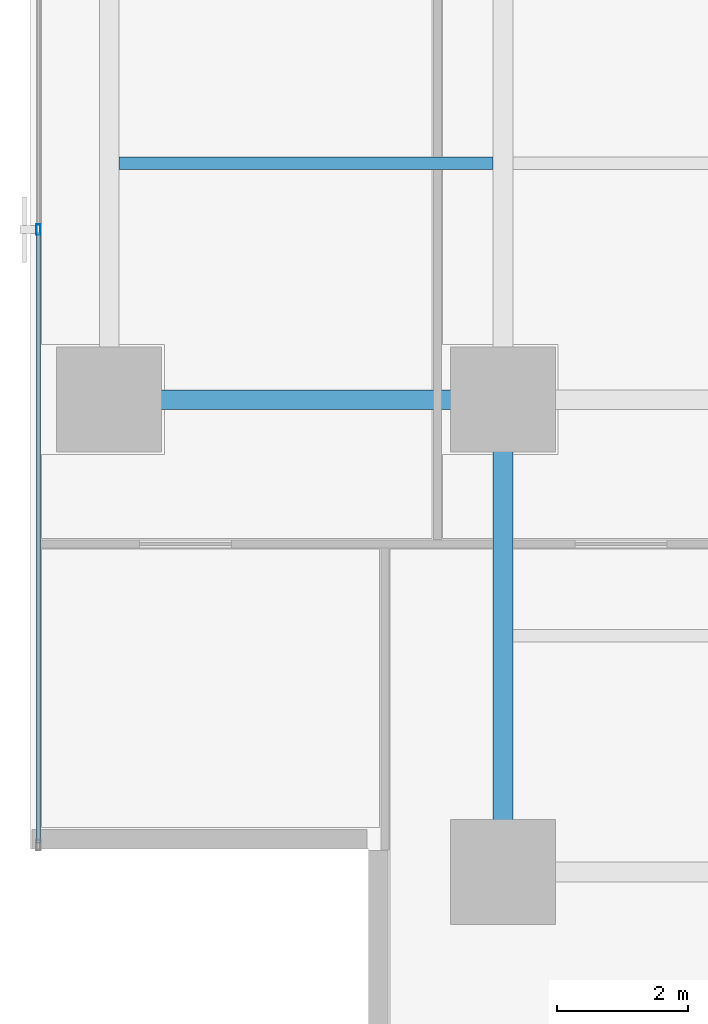
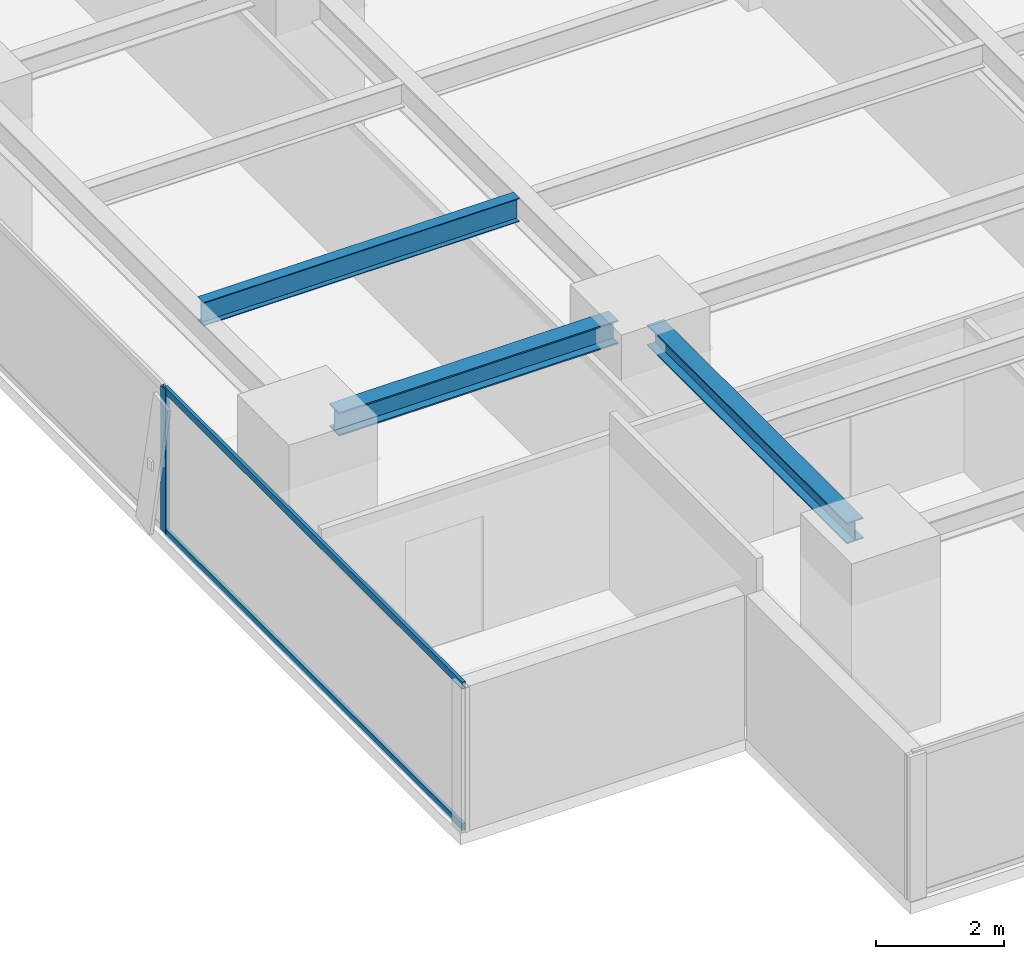
# One storey, part 3 of 28: 3 beams, 3 members, 1 element without a shape of its own.
"""IFC4 building model written with IfcOpenShell, lengths in metres."""

from ifc_helpers import new_model, si_unit, direction, frame, origin, origin_2d, place, context, subcontext, project, spatial, hollow_rectangle, i_section, extrude, source, transform, mapped, material, layer, layer_set, material_profile, profile_set, type_object, element, aggregate, save


model = new_model("IFC4")

# Units and contexts
model_context = context("Model", 3, precision=1e-05, world=origin(), true_north=direction((0.0, 1.0)))
body_context = subcontext(model_context, "Body", "Model", "MODEL_VIEW")
ifc_project = project(units=[si_unit("LENGTHUNIT", "METRE"), si_unit("AREAUNIT", "SQUARE_METRE"), si_unit("VOLUMEUNIT", "CUBIC_METRE"), si_unit("PLANEANGLEUNIT", "RADIAN"), si_unit("MASSUNIT", "GRAM", prefix="KILO")], contexts=[model_context])

# Site, building, storey
site_placement = place(None, origin())
site = spatial("IfcSite", under=ifc_project, at=site_placement, CompositionType="ELEMENT")
building_placement = place(site_placement, origin())
building = spatial("IfcBuilding", under=site, at=building_placement, Name="Sumidabori Civic Tower", CompositionType="ELEMENT")
storey_placement = place(building_placement, frame((0.0, 0.0, 182.0)))
storey = spatial("IfcBuildingStorey", under=building, at=storey_placement, Name="L47", CompositionType="ELEMENT", Elevation=182.0)

# Beams
ifc_material_1 = material(Name="Steel SN490", Category="steel")
ifc_material_profile_1 = material_profile(ifc_material_1, i_section(OverallWidth=0.300048828125, OverallDepth=0.39990234375, WebThickness=0.013427734375, FlangeThickness=0.02392578125, at=origin_2d()), Name="HE 400 B")
ifc_profile_set_1 = profile_set([ifc_material_profile_1], Name="Steel SN490")
beam_type_1 = type_object("IfcBeamType", Name="BM-GIRD-400", PredefinedType="BEAM", material=ifc_profile_set_1)
shared_shape_1 = source(origin(), body_context, "Body", "SweptSolid", [
    extrude(i_section(OverallWidth=0.300048828125, OverallDepth=0.39990234375, WebThickness=0.013427734375, FlangeThickness=0.02392578125, at=origin_2d()), origin(), (0.0, 0.0, 1.0), 6.239990234375),
])
beam_1_placement = place(storey_placement, frame((-16.800048828125, -17.52001953125, 3.179931640625), z_axis=(0.0, 1.0, 0.0), x_axis=(-1.0, 0.0, 0.0)))
element("IfcBeam", 1, at=beam_1_placement, inside=storey, type_object=beam_type_1, Name="Primary Girder L47 GY-22", PredefinedType="BEAM", context=body_context, shape_type="MappedRepresentation", body=[
    mapped(shared_shape_1, transform((0.0, 0.0, 0.0), x_axis=(1.0, 0.0, 0.0), y_axis=(0.0, 1.0, 0.0), z_axis=(0.0, 0.0, 1.0), scale=1.0)),
])
ifc_material_profile_2 = material_profile(ifc_material_1, i_section(OverallWidth=0.18994140625, OverallDepth=0.449951171875, WebThickness=0.009521484375, FlangeThickness=0.0146484375, at=origin_2d()), Name="IPE 450")
ifc_profile_set_2 = profile_set([ifc_material_profile_2], Name="Steel SN490")
beam_type_2 = type_object("IfcBeamType", Name="BM-JST-450", PredefinedType="JOIST", material=ifc_profile_set_2)
shared_shape_2 = source(origin(), body_context, "Body", "SweptSolid", [
    extrude(i_section(OverallWidth=0.18994140625, OverallDepth=0.449951171875, WebThickness=0.009521484375, FlangeThickness=0.0146484375, at=origin_2d()), origin(), (0.0, 0.0, 1.0), 5.699951171875),
])
beam_2_placement = place(storey_placement, frame((-22.64990234375, -7.199951171875, 3.155029296875), z_axis=(1.0, 0.0, 0.0), x_axis=(0.0, 1.0, 0.0)))
element("IfcBeam", 2, at=beam_2_placement, inside=storey, type_object=beam_type_2, Name="Outer Bay Floor Joist L47 JSTO-39", PredefinedType="JOIST", context=body_context, shape_type="MappedRepresentation", body=[
    mapped(shared_shape_2, transform((0.0, 0.0, 0.0), x_axis=(1.0, 0.0, 0.0), y_axis=(0.0, 1.0, 0.0), z_axis=(0.0, 0.0, 1.0), scale=1.0)),
])
ifc_material_profile_3 = material_profile(ifc_material_1, i_section(OverallWidth=0.300048828125, OverallDepth=0.449951171875, WebThickness=0.013916015625, FlangeThickness=0.02587890625, at=origin_2d()), Name="HE 450 B")
ifc_profile_set_3 = profile_set([ifc_material_profile_3], Name="Steel SN490")
beam_type_3 = type_object("IfcBeamType", Name="BM-GIRD-450", PredefinedType="BEAM", material=ifc_profile_set_3)
shared_shape_3 = source(origin(), body_context, "Body", "SweptSolid", [
    extrude(i_section(OverallWidth=0.300048828125, OverallDepth=0.449951171875, WebThickness=0.013916015625, FlangeThickness=0.02587890625, at=origin_2d()), origin(), (0.0, 0.0, 1.0), 5.0400390625),
])
beam_3_placement = place(storey_placement, frame((-22.320068359375, -10.800048828125, 3.155029296875), z_axis=(1.0, 0.0, 0.0), x_axis=(0.0, 1.0, 0.0)))
element("IfcBeam", 3, at=beam_3_placement, inside=storey, type_object=beam_type_3, Name="Primary Girder L47 GX-05", PredefinedType="BEAM", context=body_context, shape_type="MappedRepresentation", body=[
    mapped(shared_shape_3, transform((0.0, 0.0, 0.0), x_axis=(1.0, 0.0, 0.0), y_axis=(0.0, 1.0, 0.0), z_axis=(0.0, 0.0, 1.0), scale=1.0)),
])

# Curtain wall, members
ifc_material_2 = material(Name="Anodised Bronze Aluminium AW-6063-T6", Category="aluminium")
ifc_layer = layer(ifc_material_2, 0.179931640625, Name="Anodised Bronze Aluminium AW-6063-T6")
ifc_layer_set = layer_set([ifc_layer], Name="Anodised Bronze Aluminium AW-6063-T6")
curtain_wall_type = type_object("IfcCurtainWallType", Name="CW-SYS-3", PredefinedType="NOTDEFINED", material=ifc_layer_set)
curtain_wall_placement = place(storey_placement, origin())
curtain_wall = element("IfcCurtainWall", 4, at=curtain_wall_placement, inside=storey, type_object=curtain_wall_type, Name="Curtain Wall CW:L47:R10", PredefinedType="NOTDEFINED")
ifc_material_profile_4 = material_profile(ifc_material_2, hollow_rectangle(XDim=0.06494140625, YDim=0.159912109375, WallThickness=0.0048828125, at=origin_2d()), Name="ALU MULLION 160x65")
ifc_profile_set_4 = profile_set([ifc_material_profile_4], Name="Anodised Bronze Aluminium AW-6063-T6")
member_type_1 = type_object("IfcMemberType", Name="CW-MUL-160", PredefinedType="MULLION", material=ifc_profile_set_4)
shared_shape_4 = source(origin(), body_context, "Body", "SweptSolid", [
    extrude(hollow_rectangle(XDim=0.06494140625, YDim=0.159912109375, WallThickness=0.0048828125, at=origin_2d()), origin(), (0.0, 0.0, 1.0), 2.760009765625),
])
member_1_placement = place(storey_placement, frame((-23.8798828125, -8.2099609375, 0.0), z_axis=(0.0, 0.0, 1.0), x_axis=(1.0, 0.0, 0.0)))
member_1 = element("IfcMember", 5, at=member_1_placement, type_object=member_type_1, Name="CW-3 mullion 4", PredefinedType="MULLION", context=body_context, shape_type="MappedRepresentation", body=[
    mapped(shared_shape_4, transform((0.0, 0.0, 0.0), x_axis=(1.0, 0.0, 0.0), y_axis=(0.0, 1.0, 0.0), z_axis=(0.0, 0.0, 1.0), scale=1.0)),
])
ifc_material_profile_5 = material_profile(ifc_material_2, hollow_rectangle(XDim=0.06005859375, YDim=0.1298828125, WallThickness=0.0048828125, at=origin_2d()), Name="ALU TRANSOM 130x60")
ifc_profile_set_5 = profile_set([ifc_material_profile_5], Name="Anodised Bronze Aluminium AW-6063-T6")
member_type_2 = type_object("IfcMemberType", Name="CW-TRN-130", PredefinedType="USERDEFINED", material=ifc_profile_set_5)
shared_shape_5 = source(origin(), body_context, "Body", "SweptSolid", [
    extrude(hollow_rectangle(XDim=0.06005859375, YDim=0.1298828125, WallThickness=0.0048828125, at=origin_2d()), origin(), (0.0, 0.0, 1.0), 9.3125),
])
member_2_placement = place(storey_placement, frame((-23.8798828125, -8.242431640625, 0.030029296875), z_axis=(0.0, -1.0, 0.0), x_axis=(1.0, 0.0, 0.0)))
member_2 = element("IfcMember", 6, at=member_2_placement, type_object=member_type_2, Name="CW-3 transom 4.1", ObjectType="TRANSOM", PredefinedType="USERDEFINED", context=body_context, shape_type="MappedRepresentation", body=[
    mapped(shared_shape_5, transform((0.0, 0.0, 0.0), x_axis=(1.0, 0.0, 0.0), y_axis=(0.0, 1.0, 0.0), z_axis=(0.0, 0.0, 1.0), scale=1.0)),
])
member_3_placement = place(storey_placement, frame((-23.8798828125, -8.242431640625, 2.72998046875), z_axis=(0.0, -1.0, 0.0), x_axis=(1.0, 0.0, 0.0)))
member_3 = element("IfcMember", 7, at=member_3_placement, type_object=member_type_2, Name="CW-3 transom 4.2", ObjectType="TRANSOM", PredefinedType="USERDEFINED", context=body_context, shape_type="MappedRepresentation", body=[
    mapped(shared_shape_5, transform((0.0, 0.0, 0.0), x_axis=(1.0, 0.0, 0.0), y_axis=(0.0, 1.0, 0.0), z_axis=(0.0, 0.0, 1.0), scale=1.0)),
])
aggregate(curtain_wall, [member_1, member_2, member_3])

save(model, "model.ifc")
